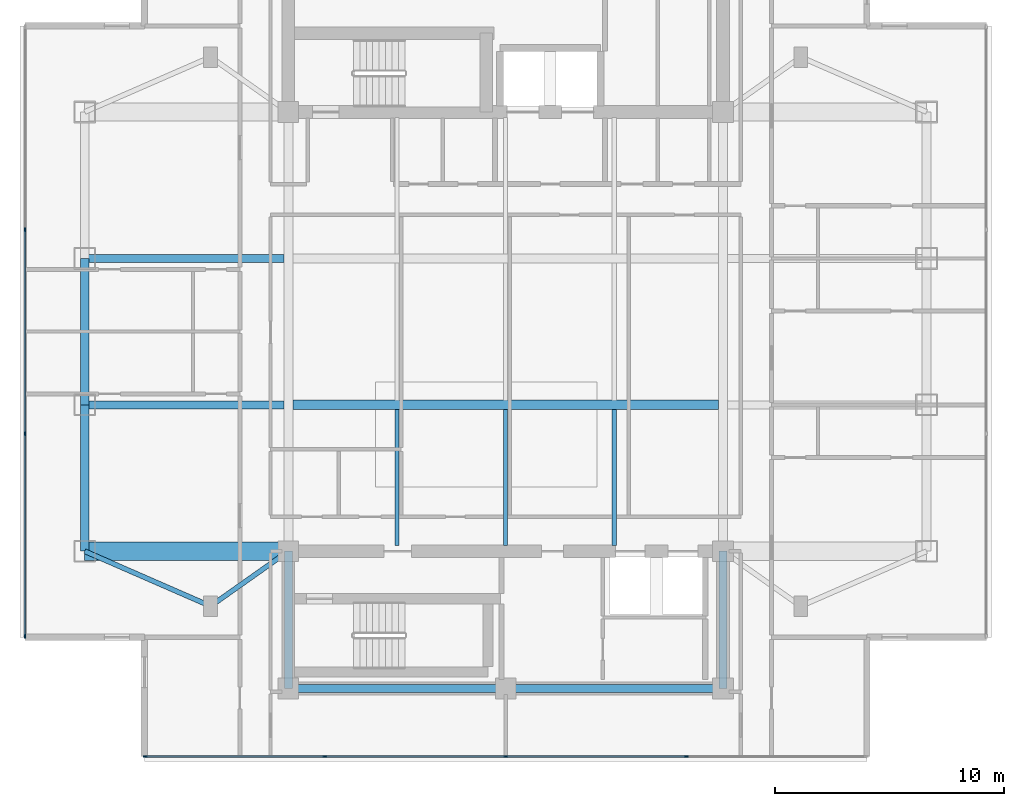
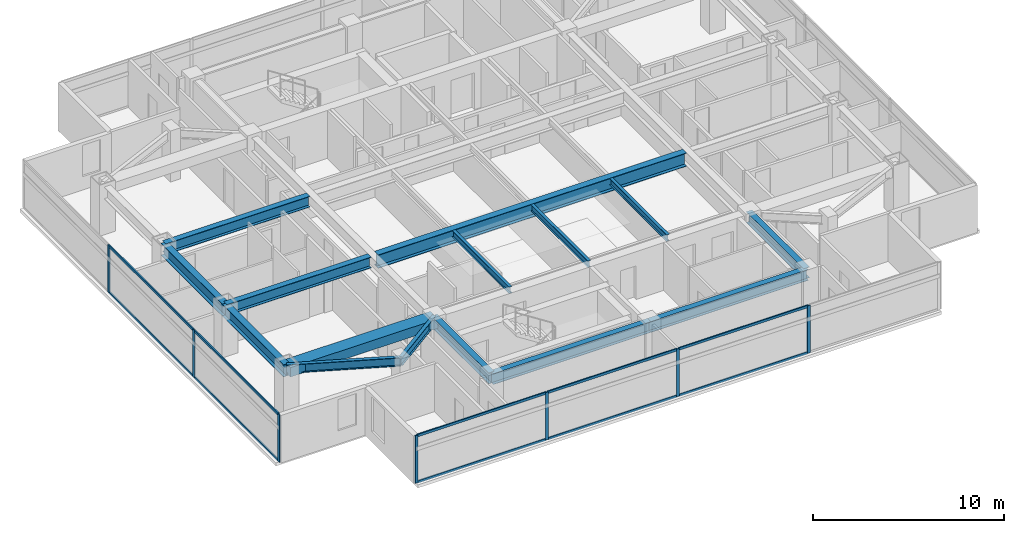
# One storey, part 2 of 26: 17 members, 15 beams, 2 elements without a shape of their own.
"""IFC4 building model written with IfcOpenShell, lengths in metres."""

from ifc_helpers import new_model, si_unit, direction, frame, origin, origin_2d, place, context, subcontext, project, spatial, rectangle, i_section, extrude, material, material_profile, profile_set, type_object, element, aggregate, save


model = new_model("IFC4")

# Units and contexts
model_context = context("Model", 3, precision=1e-05, world=origin(), true_north=direction((0.0, 1.0)))
body_context = subcontext(model_context, "Body", "Model", "MODEL_VIEW")
ifc_project = project(units=[si_unit("LENGTHUNIT", "METRE"), si_unit("AREAUNIT", "SQUARE_METRE"), si_unit("VOLUMEUNIT", "CUBIC_METRE"), si_unit("PLANEANGLEUNIT", "RADIAN"), si_unit("MASSUNIT", "GRAM", prefix="KILO")], contexts=[model_context])

# Site, building, storey
site_placement = place(None, origin())
site = spatial("IfcSite", under=ifc_project, at=site_placement, CompositionType="ELEMENT")
building_placement = place(site_placement, origin())
building = spatial("IfcBuilding", under=site, at=building_placement, Name="Mirazonda Arch Towers", CompositionType="ELEMENT")
storey_placement = place(building_placement, frame((0.0, 0.0, 203.14990234375)))
storey = spatial("IfcBuildingStorey", under=building, at=storey_placement, Name="L58", CompositionType="ELEMENT", Elevation=203.14990234375)

# Beams
ifc_material_1 = material(Name="Steel ASTM A992 Grade 50", Category="steel")
ifc_material_profile_1 = material_profile(ifc_material_1, i_section(OverallWidth=0.381103515625, OverallDepth=0.77294921875, WebThickness=0.0166015625, FlangeThickness=0.027099609375, at=origin_2d()), Name="W30X173")
ifc_profile_set_1 = profile_set([ifc_material_profile_1], Name="Steel ASTM A992 Grade 50")
beam_type_1 = type_object("IfcBeamType", Name="BM-EXT-W30X173", PredefinedType="USERDEFINED", material=ifc_profile_set_1)
beam_1_placement = place(storey_placement, frame((2.10009765625, 18.39990234375, 2.66357421875), z_axis=(0.0, 1.0, 0.0), x_axis=(-1.0, 0.0, 0.0)))
element("IfcBeam", 1, at=beam_1_placement, inside=storey, type_object=beam_type_1, Name="L58 Floor Beam BM-T1-L58-NS-W-18", ObjectType="GIRDER", PredefinedType="USERDEFINED", context=body_context, shape_type="SweptSolid", body=[
    extrude(i_section(OverallWidth=0.381103515625, OverallDepth=0.77294921875, WebThickness=0.0166015625, FlangeThickness=0.027099609375, at=origin_2d()), origin(), (0.0, 0.0, 1.0), 6.400146484375),
])
beam_2_placement = place(storey_placement, frame((2.10009765625, 24.800048828125, 2.66357421875), z_axis=(0.0, 1.0, 0.0), x_axis=(-1.0, 0.0, 0.0)))
element("IfcBeam", 2, at=beam_2_placement, inside=storey, type_object=beam_type_1, Name="L58 Floor Beam BM-T1-L58-NS-W-24", ObjectType="GIRDER", PredefinedType="USERDEFINED", context=body_context, shape_type="SweptSolid", body=[
    extrude(i_section(OverallWidth=0.381103515625, OverallDepth=0.77294921875, WebThickness=0.0166015625, FlangeThickness=0.027099609375, at=origin_2d()), origin(), (0.0, 0.0, 1.0), 6.39990234375),
])
ifc_material_profile_2 = material_profile(ifc_material_1, i_section(OverallWidth=0.180908203125, OverallDepth=0.4169921875, WebThickness=0.010986328125, FlangeThickness=0.018310546875, at=origin_2d()), Name="W16X57")
ifc_profile_set_2 = profile_set([ifc_material_profile_2], Name="Steel ASTM A992 Grade 50")
beam_type_2 = type_object("IfcBeamType", Name="BM-INT-W16X57", PredefinedType="JOIST", material=ifc_profile_set_2)
for number, where, z_axis, x_axis, name in (
    (3, (15.75, 18.639892578125, 2.841552734375), (0.0, 1.0, 0.0), (-1.0, 0.0, 0.0), "L58 Floor Beam BM-T1-L58-J-157-18"),
    (4, (20.5, 18.639892578125, 2.841552734375), (0.0, 1.0, 0.0), (-1.0, 0.0, 0.0), "L58 Floor Beam BM-T1-L58-J-205-18"),
    (5, (25.25, 18.639892578125, 2.841552734375), (0.0, 1.0, 0.0), (-1.0, 0.0, 0.0), "L58 Floor Beam BM-T1-L58-J-252-18"),
):
    element("IfcBeam", number, at=place(storey_placement, frame(where, z_axis=z_axis, x_axis=x_axis)), inside=storey, type_object=beam_type_2, Name=name, PredefinedType="JOIST", context=body_context, shape_type="SweptSolid", body=[
        extrude(i_section(OverallWidth=0.180908203125, OverallDepth=0.4169921875, WebThickness=0.010986328125, FlangeThickness=0.018310546875, at=origin_2d()), origin(), (0.0, 0.0, 1.0), 5.964111328125),
    ])
ifc_material_profile_3 = material_profile(ifc_material_1, i_section(OverallWidth=0.214111328125, OverallDepth=0.549072265625, WebThickness=0.0146484375, FlangeThickness=0.023681640625, at=origin_2d()), Name="W21X93")
ifc_profile_set_3 = profile_set([ifc_material_profile_3], Name="Steel ASTM A992 Grade 50")
beam_type_3 = type_object("IfcBeamType", Name="BM-INT-W21X93", PredefinedType="BEAM", material=ifc_profile_set_3)
beam_3_placement = place(storey_placement, frame((7.60009765625, 16.0, 2.775634765625), z_axis=(0.816971114901, 0.576678591087, 0.0), x_axis=(-0.576678591087, 0.816971114901, 0.0)))
element("IfcBeam", 6, at=beam_3_placement, inside=storey, type_object=beam_type_3, Name="L58 Floor Beam BM-T1-L58-PL-SW1", PredefinedType="BEAM", context=body_context, shape_type="SweptSolid", body=[
    extrude(i_section(OverallWidth=0.214111328125, OverallDepth=0.549072265625, WebThickness=0.0146484375, FlangeThickness=0.023681640625, at=origin_2d()), origin(), (0.0, 0.0, 1.0), 4.16162109375),
])
beam_4_placement = place(storey_placement, frame((7.60009765625, 16.0, 2.775634765625), z_axis=(-0.916545343703, 0.399930785183, 0.0), x_axis=(-0.399930785183, -0.916545343703, 0.0)))
element("IfcBeam", 7, at=beam_4_placement, inside=storey, type_object=beam_type_3, Name="L58 Floor Beam BM-T1-L58-PL-SW2", PredefinedType="BEAM", context=body_context, shape_type="SweptSolid", body=[
    extrude(i_section(OverallWidth=0.214111328125, OverallDepth=0.549072265625, WebThickness=0.0146484375, FlangeThickness=0.023681640625, at=origin_2d()), origin(), (0.0, 0.0, 1.0), 6.000732421875),
])
ifc_material_profile_4 = material_profile(ifc_material_1, i_section(OverallWidth=0.35498046875, OverallDepth=0.696044921875, WebThickness=0.015380859375, FlangeThickness=0.02490234375, at=origin_2d()), Name="W27X146")
ifc_profile_set_4 = profile_set([ifc_material_profile_4], Name="Steel ASTM A992 Grade 50")
beam_type_4 = type_object("IfcBeamType", Name="BM-INT-W27X146", PredefinedType="BEAM", material=ifc_profile_set_4)
for number, where, z_axis, x_axis, name in (
    (8, (2.10009765625, 24.800048828125, 2.7021484375), (1.0, 0.0, 0.0), (0.0, 1.0, 0.0), "L58 Floor Beam BM-T1-L58-GW2"),
    (9, (2.10009765625, 31.199951171875, 2.7021484375), (1.0, 0.0, 0.0), (0.0, 1.0, 0.0), "L58 Floor Beam BM-T1-L58-GW3"),
):
    element("IfcBeam", number, at=place(storey_placement, frame(where, z_axis=z_axis, x_axis=x_axis)), inside=storey, type_object=beam_type_4, Name=name, PredefinedType="BEAM", context=body_context, shape_type="SweptSolid", body=[
        extrude(i_section(OverallWidth=0.35498046875, OverallDepth=0.696044921875, WebThickness=0.015380859375, FlangeThickness=0.02490234375, at=origin_2d()), origin(), (0.0, 0.0, 1.0), 8.699951171875),
    ])
for number, where, z_axis, x_axis, name in (
    (10, (11.0, 12.39990234375, 2.7021484375), (1.0, 0.0, 0.0), (0.0, 1.0, 0.0), "L58 Floor Beam BM-T1-L58-CS1"),
    (11, (20.5, 12.39990234375, 2.7021484375), (1.0, 0.0, 0.0), (0.0, 1.0, 0.0), "L58 Floor Beam BM-T1-L58-CS2"),
):
    element("IfcBeam", number, at=place(storey_placement, frame(where, z_axis=z_axis, x_axis=x_axis)), inside=storey, type_object=beam_type_4, Name=name, PredefinedType="BEAM", context=body_context, shape_type="SweptSolid", body=[
        extrude(i_section(OverallWidth=0.35498046875, OverallDepth=0.696044921875, WebThickness=0.015380859375, FlangeThickness=0.02490234375, at=origin_2d()), origin(), (0.0, 0.0, 1.0), 9.5),
    ])
for number, where, z_axis, x_axis, name in (
    (12, (11.0, 12.39990234375, 2.7021484375), (0.0, 1.0, 0.0), (-1.0, 0.0, 0.0), "L58 Floor Beam BM-T1-L58-CSW"),
    (13, (30.0, 12.39990234375, 2.7021484375), (0.0, 1.0, 0.0), (-1.0, 0.0, 0.0), "L58 Floor Beam BM-T1-L58-CSE"),
):
    element("IfcBeam", number, at=place(storey_placement, frame(where, z_axis=z_axis, x_axis=x_axis)), inside=storey, type_object=beam_type_4, Name=name, PredefinedType="BEAM", context=body_context, shape_type="SweptSolid", body=[
        extrude(i_section(OverallWidth=0.35498046875, OverallDepth=0.696044921875, WebThickness=0.015380859375, FlangeThickness=0.02490234375, at=origin_2d()), origin(), (0.0, 0.0, 1.0), 6.0),
    ])
ifc_material_profile_5 = material_profile(ifc_material_1, i_section(OverallWidth=0.39990234375, OverallDepth=0.85595703125, WebThickness=0.018310546875, FlangeThickness=0.029296875, at=origin_2d()), Name="W33X201")
ifc_profile_set_5 = profile_set([ifc_material_profile_5], Name="Steel ASTM A992 Grade 50")
beam_type_5 = type_object("IfcBeamType", Name="BM-INT-W33X201", PredefinedType="USERDEFINED", material=ifc_profile_set_5)
beam_5_placement = place(storey_placement, frame((11.199951171875, 24.800048828125, 2.6220703125), z_axis=(1.0, 0.0, 0.0), x_axis=(0.0, 1.0, 0.0)))
element("IfcBeam", 14, at=beam_5_placement, inside=storey, type_object=beam_type_5, Name="L58 Floor Beam BM-T1-L58-GC2", ObjectType="GIRDER", PredefinedType="USERDEFINED", context=body_context, shape_type="SweptSolid", body=[
    extrude(i_section(OverallWidth=0.39990234375, OverallDepth=0.85595703125, WebThickness=0.018310546875, FlangeThickness=0.029296875, at=origin_2d()), origin(), (0.0, 0.0, 1.0), 18.60009765625),
])
ifc_material_2 = material(Name="Concrete C60/75", Category="concrete")
ifc_material_profile_6 = material_profile(ifc_material_2, rectangle(XDim=0.800048828125, YDim=0.60009765625, at=origin_2d()), Name="RCCB800x600")
ifc_profile_set_6 = profile_set([ifc_material_profile_6], Name="Concrete C60/75")
beam_type_6 = type_object("IfcBeamType", Name="CB-INT-RCCB800x600", PredefinedType="SPANDREL", material=ifc_profile_set_6)
beam_6_placement = place(storey_placement, frame((2.10009765625, 18.39990234375, 2.75), z_axis=(1.0, 0.0, 0.0), x_axis=(0.0, 1.0, 0.0)))
element("IfcBeam", 15, at=beam_6_placement, inside=storey, type_object=beam_type_6, Name="L58 Floor Beam CBC-T1-L58-SW", PredefinedType="SPANDREL", context=body_context, shape_type="SweptSolid", body=[
    extrude(rectangle(XDim=0.800048828125, YDim=0.60009765625, at=origin_2d()), origin(), (0.0, 0.0, 1.0), 8.89990234375),
])

# Curtain wall, members
ifc_material_3 = material(Name="Anodised Aluminium and Low-E Glass", Category="aluminium")
curtain_wall_type = type_object("IfcCurtainWallType", Name="CW-RES-UNIT", PredefinedType="NOTDEFINED", material=ifc_material_3)
curtain_wall_1_placement = place(storey_placement, origin())
curtain_wall_1 = element("IfcCurtainWall", 16, at=curtain_wall_1_placement, inside=storey, type_object=curtain_wall_type, Name="L58 T1 S Facade CW-L58-T1-S", PredefinedType="NOTDEFINED")
ifc_material_4 = material(Name="Anodised Aluminium Alloy", Category="aluminium")
ifc_material_profile_7 = material_profile(ifc_material_4, rectangle(XDim=0.074951171875, YDim=0.175048828125, at=origin_2d()), Name="ALU-MULL-75x175")
ifc_profile_set_7 = profile_set([ifc_material_profile_7], Name="Anodised Aluminium Alloy")
member_type_1 = type_object("IfcMemberType", Name="MULL-CW-RES-UNIT", PredefinedType="MULLION", material=ifc_profile_set_7)
member_1_placement = place(storey_placement, frame((28.3974609375, 9.422119140625, 0.0), z_axis=(0.0, 0.0, 1.0), x_axis=(0.0, -1.0, 0.0)))
member_1 = element("IfcMember", 17, at=member_1_placement, type_object=member_type_1, Name="CW-104 mullion 2", PredefinedType="MULLION", context=body_context, shape_type="SweptSolid", body=[
    extrude(rectangle(XDim=0.074951171875, YDim=0.175048828125, at=origin_2d()), origin(), (0.0, 0.0, 1.0), 3.030029296875),
])
member_2_placement = place(storey_placement, frame((20.5, 9.422119140625, 0.0), z_axis=(0.0, 0.0, 1.0), x_axis=(0.0, -1.0, 0.0)))
member_2 = element("IfcMember", 18, at=member_2_placement, type_object=member_type_1, Name="CW-104 mullion 3", PredefinedType="MULLION", context=body_context, shape_type="SweptSolid", body=[
    extrude(rectangle(XDim=0.074951171875, YDim=0.175048828125, at=origin_2d()), origin(), (0.0, 0.0, 1.0), 3.030029296875),
])
member_3_placement = place(storey_placement, frame((12.6025390625, 9.422119140625, 0.0), z_axis=(0.0, 0.0, 1.0), x_axis=(0.0, -1.0, 0.0)))
member_3 = element("IfcMember", 19, at=member_3_placement, type_object=member_type_1, Name="CW-104 mullion 4", PredefinedType="MULLION", context=body_context, shape_type="SweptSolid", body=[
    extrude(rectangle(XDim=0.074951171875, YDim=0.175048828125, at=origin_2d()), origin(), (0.0, 0.0, 1.0), 3.030029296875),
])
member_4_placement = place(storey_placement, frame((4.742431640625, 9.422119140625, 0.0), z_axis=(0.0, 0.0, 1.0), x_axis=(0.0, -1.0, 0.0)))
member_4 = element("IfcMember", 20, at=member_4_placement, type_object=member_type_1, Name="CW-104 mullion 5", PredefinedType="MULLION", context=body_context, shape_type="SweptSolid", body=[
    extrude(rectangle(XDim=0.074951171875, YDim=0.175048828125, at=origin_2d()), origin(), (0.0, 0.0, 1.0), 3.030029296875),
])

curtain_wall_2_placement = place(storey_placement, origin())
curtain_wall_2 = element("IfcCurtainWall", 21, at=curtain_wall_2_placement, inside=storey, type_object=curtain_wall_type, Name="L58 T1 W Facade CW-L58-T1-W", PredefinedType="NOTDEFINED")
member_5_placement = place(storey_placement, frame((-0.510009765625, 32.454345703125, 0.0), z_axis=(0.0, 0.0, 1.0), x_axis=(1.0, 0.0, 0.0)))
member_5 = element("IfcMember", 22, at=member_5_placement, type_object=member_type_1, Name="CW-104 mullion 2", PredefinedType="MULLION", context=body_context, shape_type="SweptSolid", body=[
    extrude(rectangle(XDim=0.074951171875, YDim=0.175048828125, at=origin_2d()), origin(), (0.0, 0.0, 1.0), 3.030029296875),
])
member_6_placement = place(storey_placement, frame((-0.510009765625, 23.545654296875, 0.0), z_axis=(0.0, 0.0, 1.0), x_axis=(1.0, 0.0, 0.0)))
member_6 = element("IfcMember", 23, at=member_6_placement, type_object=member_type_1, Name="CW-104 mullion 3", PredefinedType="MULLION", context=body_context, shape_type="SweptSolid", body=[
    extrude(rectangle(XDim=0.074951171875, YDim=0.175048828125, at=origin_2d()), origin(), (0.0, 0.0, 1.0), 3.030029296875),
])
member_7_placement = place(storey_placement, frame((-0.510009765625, 14.674560546875, 0.0), z_axis=(0.0, 0.0, 1.0), x_axis=(1.0, 0.0, 0.0)))
member_7 = element("IfcMember", 24, at=member_7_placement, type_object=member_type_1, Name="CW-104 mullion 4", PredefinedType="MULLION", context=body_context, shape_type="SweptSolid", body=[
    extrude(rectangle(XDim=0.074951171875, YDim=0.175048828125, at=origin_2d()), origin(), (0.0, 0.0, 1.0), 3.030029296875),
])

# Member
ifc_material_profile_8 = material_profile(ifc_material_4, rectangle(XDim=0.074951171875, YDim=0.155029296875, at=origin_2d()), Name="ALU-TRAN-75x155")
ifc_profile_set_8 = profile_set([ifc_material_profile_8], Name="Anodised Aluminium Alloy")
member_type_2 = type_object("IfcMemberType", Name="TRAN-CW-RES-UNIT", PredefinedType="USERDEFINED", material=ifc_profile_set_8)
member_8_placement = place(storey_placement, frame((28.360107421875, 9.422119140625, 0.03759765625), z_axis=(-1.0, 0.0, 0.0), x_axis=(0.0, -1.0, 0.0)))
member_8 = element("IfcMember", 25, at=member_8_placement, type_object=member_type_2, Name="CW-104 transom 2.1", ObjectType="TRANSOM", PredefinedType="USERDEFINED", context=body_context, shape_type="SweptSolid", body=[
    extrude(rectangle(XDim=0.074951171875, YDim=0.155029296875, at=origin_2d()), origin(), (0.0, 0.0, 1.0), 7.822509765625),
])

member_9_placement = place(storey_placement, frame((28.360107421875, 9.422119140625, 2.99267578125), z_axis=(-1.0, 0.0, 0.0), x_axis=(0.0, -1.0, 0.0)))
member_9 = element("IfcMember", 26, at=member_9_placement, type_object=member_type_2, Name="CW-104 transom 2.2", ObjectType="TRANSOM", PredefinedType="USERDEFINED", context=body_context, shape_type="SweptSolid", body=[
    extrude(rectangle(XDim=0.074951171875, YDim=0.155029296875, at=origin_2d()), origin(), (0.0, 0.0, 1.0), 7.822509765625),
])

member_10_placement = place(storey_placement, frame((20.46240234375, 9.422119140625, 0.03759765625), z_axis=(-1.0, 0.0, 0.0), x_axis=(0.0, -1.0, 0.0)))
member_10 = element("IfcMember", 27, at=member_10_placement, type_object=member_type_2, Name="CW-104 transom 3.1", ObjectType="TRANSOM", PredefinedType="USERDEFINED", context=body_context, shape_type="SweptSolid", body=[
    extrude(rectangle(XDim=0.074951171875, YDim=0.155029296875, at=origin_2d()), origin(), (0.0, 0.0, 1.0), 7.822509765625),
])

member_11_placement = place(storey_placement, frame((20.46240234375, 9.422119140625, 2.99267578125), z_axis=(-1.0, 0.0, 0.0), x_axis=(0.0, -1.0, 0.0)))
member_11 = element("IfcMember", 28, at=member_11_placement, type_object=member_type_2, Name="CW-104 transom 3.2", ObjectType="TRANSOM", PredefinedType="USERDEFINED", context=body_context, shape_type="SweptSolid", body=[
    extrude(rectangle(XDim=0.074951171875, YDim=0.155029296875, at=origin_2d()), origin(), (0.0, 0.0, 1.0), 7.822509765625),
])

member_12_placement = place(storey_placement, frame((12.56494140625, 9.422119140625, 0.03759765625), z_axis=(-1.0, 0.0, 0.0), x_axis=(0.0, -1.0, 0.0)))
member_12 = element("IfcMember", 29, at=member_12_placement, type_object=member_type_2, Name="CW-104 transom 4.1", ObjectType="TRANSOM", PredefinedType="USERDEFINED", context=body_context, shape_type="SweptSolid", body=[
    extrude(rectangle(XDim=0.074951171875, YDim=0.155029296875, at=origin_2d()), origin(), (0.0, 0.0, 1.0), 7.784912109375),
])

member_13_placement = place(storey_placement, frame((12.56494140625, 9.422119140625, 2.99267578125), z_axis=(-1.0, 0.0, 0.0), x_axis=(0.0, -1.0, 0.0)))
member_13 = element("IfcMember", 30, at=member_13_placement, type_object=member_type_2, Name="CW-104 transom 4.2", ObjectType="TRANSOM", PredefinedType="USERDEFINED", context=body_context, shape_type="SweptSolid", body=[
    extrude(rectangle(XDim=0.074951171875, YDim=0.155029296875, at=origin_2d()), origin(), (0.0, 0.0, 1.0), 7.784912109375),
])

aggregate(curtain_wall_1, [member_1, member_2, member_3, member_4, member_8, member_9, member_10, member_11, member_12, member_13])

member_14_placement = place(storey_placement, frame((-0.510009765625, 32.416748046875, 0.03759765625), z_axis=(0.0, -1.0, 0.0), x_axis=(1.0, 0.0, 0.0)))
member_14 = element("IfcMember", 31, at=member_14_placement, type_object=member_type_2, Name="CW-104 transom 2.1", ObjectType="TRANSOM", PredefinedType="USERDEFINED", context=body_context, shape_type="SweptSolid", body=[
    extrude(rectangle(XDim=0.074951171875, YDim=0.155029296875, at=origin_2d()), origin(), (0.0, 0.0, 1.0), 8.83349609375),
])

member_15_placement = place(storey_placement, frame((-0.510009765625, 32.416748046875, 2.99267578125), z_axis=(0.0, -1.0, 0.0), x_axis=(1.0, 0.0, 0.0)))
member_15 = element("IfcMember", 32, at=member_15_placement, type_object=member_type_2, Name="CW-104 transom 2.2", ObjectType="TRANSOM", PredefinedType="USERDEFINED", context=body_context, shape_type="SweptSolid", body=[
    extrude(rectangle(XDim=0.074951171875, YDim=0.155029296875, at=origin_2d()), origin(), (0.0, 0.0, 1.0), 8.83349609375),
])

member_16_placement = place(storey_placement, frame((-0.510009765625, 23.508056640625, 0.03759765625), z_axis=(0.0, -1.0, 0.0), x_axis=(1.0, 0.0, 0.0)))
member_16 = element("IfcMember", 33, at=member_16_placement, type_object=member_type_2, Name="CW-104 transom 3.1", ObjectType="TRANSOM", PredefinedType="USERDEFINED", context=body_context, shape_type="SweptSolid", body=[
    extrude(rectangle(XDim=0.074951171875, YDim=0.155029296875, at=origin_2d()), origin(), (0.0, 0.0, 1.0), 8.796142578125),
])

member_17_placement = place(storey_placement, frame((-0.510009765625, 23.508056640625, 2.99267578125), z_axis=(0.0, -1.0, 0.0), x_axis=(1.0, 0.0, 0.0)))
member_17 = element("IfcMember", 34, at=member_17_placement, type_object=member_type_2, Name="CW-104 transom 3.2", ObjectType="TRANSOM", PredefinedType="USERDEFINED", context=body_context, shape_type="SweptSolid", body=[
    extrude(rectangle(XDim=0.074951171875, YDim=0.155029296875, at=origin_2d()), origin(), (0.0, 0.0, 1.0), 8.796142578125),
])

aggregate(curtain_wall_2, [member_5, member_6, member_7, member_14, member_15, member_16, member_17])

save(model, "model.ifc")
